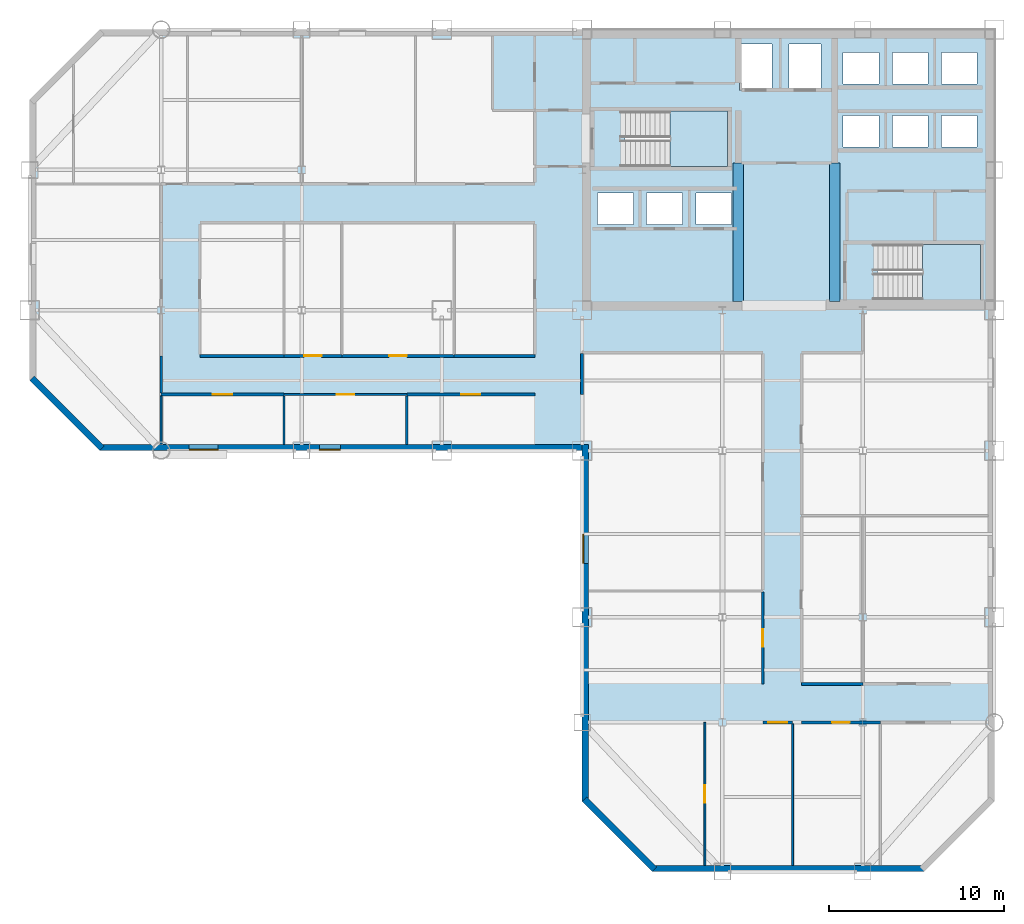
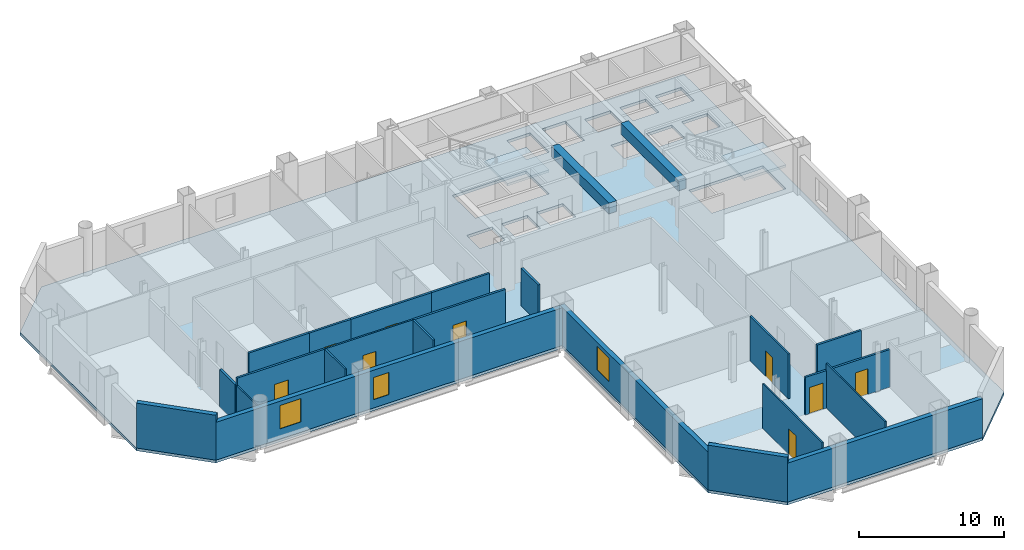
# One storey, part 5 of 10: 23 walls, 9 doors, 3 slabs, 3 windows, 2 beams, 12 openings, 2 elements without a shape of their own.
"""IFC4 building model written with IfcOpenShell, lengths in metres."""

import ifcopenshell
import ifcopenshell.guid

model = None  # the IFC model being written
_history = None  # IfcOwnerHistory: only IFC2X3 demands one
_inside = {}  # id of a spatial element -> (the spatial element, [elements in it])
_under = {}  # id of a project, library or spatial element -> (it, [spatial elements below it])
_declared = {}  # id of a project -> (the project, [libraries it declares])
_typed = {}  # id of a type object -> (the type object, [elements of that type])
_made_of = {}  # id of a material, layer set ... -> (it, [elements and type objects made of it])


def new_model(schema):
    """Start an empty IFC model of exactly this schema.

    Asked for "IFC4X3", IfcOpenShell would pick the latest addendum, in which some entities
    have other attributes; the version numbers below select the first issue.
    IFC2X3 requires an IfcOwnerHistory on every rooted entity: one is made here for all.
    """
    global model, _history
    if schema == "IFC4X3":
        model = ifcopenshell.file(schema_version=(4, 3, 0, 0))
    else:
        model = ifcopenshell.file(schema=schema)
    _inside.clear()
    _under.clear()
    _declared.clear()
    _typed.clear()
    _made_of.clear()
    _history = None
    if model.schema == "IFC2X3":
        org = make("IfcOrganization", Name="unknown")
        user = make(
            "IfcPersonAndOrganization",
            ThePerson=make("IfcPerson", FamilyName="unknown"),
            TheOrganization=org,
        )
        app = make(
            "IfcApplication",
            ApplicationDeveloper=org,
            Version="unknown",
            ApplicationFullName="unknown",
            ApplicationIdentifier="unknown",
        )
        _history = make(
            "IfcOwnerHistory",
            OwningUser=user,
            OwningApplication=app,
            ChangeAction="ADDED",
            CreationDate=0,
        )
    return model


def make(cls, **values):
    """One entity of the class cls with the attributes given. An attribute that is None is left unset."""
    return model.create_entity(
        cls, **{name: value for name, value in values.items() if value is not None}
    )


def rooted(cls, **values):
    """An entity with a GlobalId (a new one), such as an element, a storey or a relation."""
    return make(cls, GlobalId=ifcopenshell.guid.new(), OwnerHistory=_history, **values)


def si_unit(unit_type, name, prefix=None):
    """IfcSIUnit, for example si_unit("LENGTHUNIT", "METRE", prefix="MILLI")."""
    return make("IfcSIUnit", UnitType=unit_type, Prefix=prefix, Name=name)


def assignment(units):
    """IfcUnitAssignment: the units of a project."""
    return None if units is None else make("IfcUnitAssignment", Units=units)


def point(xyz):
    """IfcCartesianPoint."""
    return None if xyz is None else make("IfcCartesianPoint", Coordinates=xyz)


def direction(xyz):
    """IfcDirection."""
    return None if xyz is None else make("IfcDirection", DirectionRatios=xyz)


def frame(location, z_axis=None, x_axis=None):
    """IfcAxis2Placement3D, a coordinate frame: its origin and axes. An axis left out is left unset."""
    return make(
        "IfcAxis2Placement3D",
        Location=point(location),
        Axis=direction(z_axis),
        RefDirection=direction(x_axis),
    )


def frame_2d(location, x_axis=None):
    """IfcAxis2Placement2D, a coordinate frame in the plane: its origin and x axis."""
    return make(
        "IfcAxis2Placement2D", Location=point(location), RefDirection=direction(x_axis)
    )


def origin():
    """The frame at (0, 0, 0) with its axes left unset."""
    return frame((0.0, 0.0, 0.0))


def origin_2d():
    """The frame at (0, 0) in the plane with its x axis left unset."""
    return frame_2d((0.0, 0.0))


def place(relative_to, where):
    """IfcLocalPlacement: puts the frame where relative to a parent placement (None: the world)."""
    return make(
        "IfcLocalPlacement", PlacementRelTo=relative_to, RelativePlacement=where
    )


def context(
    kind, dimensions, precision=None, world=None, true_north=None, identifier=None
):
    """IfcGeometricRepresentationContext, for example the 3D "Model" context."""
    return make(
        "IfcGeometricRepresentationContext",
        ContextIdentifier=identifier,
        ContextType=kind,
        CoordinateSpaceDimension=dimensions,
        Precision=precision,
        WorldCoordinateSystem=world,
        TrueNorth=true_north,
    )


def subcontext(parent, identifier, kind, view, scale=None):
    """IfcGeometricRepresentationSubContext, for example "Body" below "Model"."""
    return make(
        "IfcGeometricRepresentationSubContext",
        ContextIdentifier=identifier,
        ContextType=kind,
        ParentContext=parent,
        TargetScale=scale,
        TargetView=view,
    )


def project(units=None, contexts=None):
    """IfcProject with its units and contexts."""
    return rooted(
        "IfcProject",
        Name="project",
        RepresentationContexts=contexts,
        UnitsInContext=assignment(units),
    )


def spatial(cls, under=None, at=None, **own):
    """A site, building, storey or space (cls), placed at a placement, below another one or the project."""
    s = rooted(cls, ObjectPlacement=at, **own)
    if under is not None:
        _under.setdefault(under.id(), (under, []))[1].append(s)
    return s


def polyline(points):
    """IfcPolyline through the points."""
    return make("IfcPolyline", Points=[point(p) for p in points])


def profile(cls, at=None, kind="AREA", **sizes):
    """A parametric profile (cls). Its sizes go by their IFC names, for example OverallWidth=200.0."""
    return make(cls, ProfileType=kind, Position=at, **sizes)


def rectangle(**sizes):
    """IfcRectangleProfileDef."""
    return profile("IfcRectangleProfileDef", **sizes)


def outline(outer, holes=None, kind="AREA"):
    """IfcArbitraryClosedProfileDef: a profile drawn as a closed curve; with holes, ...WithVoids."""
    if holes is None:
        return make("IfcArbitraryClosedProfileDef", ProfileType=kind, OuterCurve=outer)
    return make(
        "IfcArbitraryProfileDefWithVoids",
        ProfileType=kind,
        OuterCurve=outer,
        InnerCurves=holes,
    )


def extrude(swept, where, along, depth):
    """IfcExtrudedAreaSolid: the profile swept, set in the frame where, extruded along a direction by depth."""
    return make(
        "IfcExtrudedAreaSolid",
        SweptArea=swept,
        Position=where,
        ExtrudedDirection=direction(along),
        Depth=depth,
    )


def shape(context_of_items, identifier, shape_type, items):
    """IfcShapeRepresentation: the items that make up one representation, for example the "Body"."""
    return make(
        "IfcShapeRepresentation",
        ContextOfItems=context_of_items,
        RepresentationIdentifier=identifier,
        RepresentationType=shape_type,
        Items=items,
    )


def material(Name=None, Category=None):
    """IfcMaterial."""
    return make("IfcMaterial", Name=Name, Category=Category)


def layer(
    of_material, thickness, ventilated=None, Name=None, Category=None, Priority=None
):
    """IfcMaterialLayer: one layer of a wall or slab, of a material (None: an air gap)."""
    return make(
        "IfcMaterialLayer",
        Material=of_material,
        LayerThickness=thickness,
        IsVentilated=ventilated,
        Name=Name,
        Category=Category,
        Priority=Priority,
    )


def layer_set(layers, Name=None):
    """IfcMaterialLayerSet."""
    return make("IfcMaterialLayerSet", MaterialLayers=layers, LayerSetName=Name)


def material_profile(
    of_material, cross_section, Name=None, Category=None, Priority=None
):
    """IfcMaterialProfile: a cross section and its material."""
    return make(
        "IfcMaterialProfile",
        Name=Name,
        Material=of_material,
        Profile=cross_section,
        Priority=Priority,
        Category=Category,
    )


def profile_set(profiles, Name=None, composite=None):
    """IfcMaterialProfileSet."""
    return make(
        "IfcMaterialProfileSet",
        Name=Name,
        MaterialProfiles=profiles,
        CompositeProfile=composite,
    )


def made_of(thing, what):
    """Note that an element or type object is made of a material, layer set ...; save() writes the relation."""
    if what is not None:
        _made_of.setdefault(what.id(), (what, []))[1].append(thing)
    return thing


def type_object(cls, material=None, **own):
    """A type object (cls), such as IfcWallType, which elements share."""
    return made_of(rooted(cls, **own), material)


def element(
    cls,
    number,
    at=None,
    inside=None,
    cuts=None,
    type_object=None,
    material=None,
    context=None,
    identifier="Body",
    shape_type=None,
    held_by="IfcProductDefinitionShape",
    body=None,
    shapes=None,
    **own,
):
    """One element of the class cls, such as IfcWall. Its Tag is "e" and its number.

    at: its placement. inside: the storey or other place that contains it. cuts: it is an
    opening in that element (IfcRelVoidsElement). A single representation is given by context,
    identifier, shape_type and body (its items); several are given by shapes. held_by: the class
    of the entity that holds the representations. save() writes the other relations.
    """
    e = rooted(cls, Tag="e%d" % number, ObjectPlacement=at, **own)
    if body is not None:
        shapes = [shape(context, identifier, shape_type, body)]
    if shapes is not None:
        e.Representation = make(held_by, Representations=shapes)
    if inside is not None:
        _inside.setdefault(inside.id(), (inside, []))[1].append(e)
    if cuts is not None:
        rooted(
            "IfcRelVoidsElement", RelatingBuildingElement=cuts, RelatedOpeningElement=e
        )
    if type_object is not None:
        _typed.setdefault(type_object.id(), (type_object, []))[1].append(e)
    return made_of(e, material)


def fill(opening, filler):
    """IfcRelFillsElement: the door or window that sits in an opening."""
    return rooted(
        "IfcRelFillsElement",
        RelatingOpeningElement=opening,
        RelatedBuildingElement=filler,
    )


def aggregate(whole, parts):
    """IfcRelAggregates: a whole, such as a stair, and the parts it consists of."""
    return rooted("IfcRelAggregates", RelatingObject=whole, RelatedObjects=parts)


def save(model, path):
    """Write the relations noted so far, then the file.

    IfcRelAggregates (storeys below a building ...), IfcRelContainedInSpatialStructure (elements
    in a storey), IfcRelDefinesByType, IfcRelAssociatesMaterial and IfcRelDeclares: one each for
    every whole, place, type object, material and project.
    """
    for whole, parts in _under.values():
        aggregate(whole, parts)
    for where, things in _inside.values():
        rooted(
            "IfcRelContainedInSpatialStructure",
            RelatedElements=things,
            RelatingStructure=where,
        )
    for kind, things in _typed.values():
        rooted("IfcRelDefinesByType", RelatedObjects=things, RelatingType=kind)
    for what, things in _made_of.values():
        rooted("IfcRelAssociatesMaterial", RelatedObjects=things, RelatingMaterial=what)
    for by, libraries in _declared.values():
        rooted("IfcRelDeclares", RelatingContext=by, RelatedDefinitions=libraries)
    model.write(path)


model = new_model("IFC4")

# Units and contexts
model_context = context("Model", 3, precision=1e-05, world=origin(), true_north=direction((0.0, 1.0)))
body_context = subcontext(model_context, "Body", "Model", "MODEL_VIEW")
ifc_project = project(units=[si_unit("LENGTHUNIT", "METRE"), si_unit("AREAUNIT", "SQUARE_METRE"), si_unit("VOLUMEUNIT", "CUBIC_METRE"), si_unit("PLANEANGLEUNIT", "RADIAN"), si_unit("MASSUNIT", "GRAM", prefix="KILO")], contexts=[model_context])

# Site, building, storey
site_placement = place(None, origin())
site = spatial("IfcSite", under=ifc_project, at=site_placement, CompositionType="ELEMENT")
building_placement = place(site_placement, origin())
building = spatial("IfcBuilding", under=site, at=building_placement, Name="Qianrong Seaharbour Tower", CompositionType="ELEMENT")
storey_placement = place(building_placement, frame((0.0, 0.0, 179.0)))
storey = spatial("IfcBuildingStorey", under=building, at=storey_placement, Name="L43", CompositionType="ELEMENT", Elevation=179.0)

# Beams
ifc_material_1 = material(Name="Concrete C70/85", Category="concrete")
ifc_material_profile = material_profile(ifc_material_1, rectangle(XDim=0.60009765625, YDim=0.89990234375, at=origin_2d()), Name="RC600x900")
ifc_profile_set = profile_set([ifc_material_profile], Name="Concrete C70/85")
beam_type = type_object("IfcBeamType", Name="BM-LINTEL-900", PredefinedType="LINTEL", material=ifc_profile_set)
for number, where, z_axis, x_axis, name in (
    (1, (49.39990234375, 36.5, 3.31494140625), (0.0, 1.0, 0.0), (-1.0, 0.0, 0.0), "L43 Internal Core Coupling Beam IW1"),
    (2, (54.89990234375, 36.5, 3.31494140625), (0.0, 1.0, 0.0), (-1.0, 0.0, 0.0), "L43 Internal Core Coupling Beam IW2"),
):
    element("IfcBeam", number, at=place(storey_placement, frame(where, z_axis=z_axis, x_axis=x_axis)), inside=storey, type_object=beam_type, Name=name, PredefinedType="LINTEL", context=body_context, shape_type="SweptSolid", body=[
        extrude(rectangle(XDim=0.60009765625, YDim=0.89990234375, at=origin_2d()), origin(), (0.0, 0.0, 1.0), 7.89990234375),
    ])

# Stair, slab
ifc_material_2 = material(Name="Concrete C50/60", Category="concrete")
stair_type = type_object("IfcStairType", Name="STAIR-DOGLEG-1500-R22", PredefinedType="HALF_TURN_STAIR", material=ifc_material_2)
stair_1_placement = place(storey_placement, origin())
stair_1 = element("IfcStair", 3, at=stair_1_placement, inside=storey, type_object=stair_type, Name="L43 Protected Escape Stair ST-1", PredefinedType="HALF_TURN_STAIR")
ifc_layer_1 = layer(ifc_material_2, 0.199951171875)
ifc_layer_set_1 = layer_set([ifc_layer_1], Name="Concrete C50/60")
slab_type_1 = type_object("IfcSlabType", Name="SLAB-STAIR-LANDING-200", PredefinedType="LANDING", material=ifc_layer_set_1)
slab_1_placement = place(storey_placement, frame((0.0, 0.0, 1.800048828125)))
slab_1 = element("IfcSlab", 4, at=slab_1_placement, type_object=slab_type_1, Name="ST-1 landing 1", PredefinedType="LANDING", context=body_context, shape_type="SweptSolid", body=[
    extrude(outline(polyline([(45.5, 44.199951171875), (48.800048828125, 44.199951171875), (48.800048828125, 47.35009765625), (45.5, 47.35009765625), (45.5, 44.199951171875)])), origin(), (0.0, 0.0, 1.0), 0.199951171875),
])
aggregate(stair_1, [slab_1])

stair_2_placement = place(storey_placement, origin())
stair_2 = element("IfcStair", 5, at=stair_2_placement, inside=storey, type_object=stair_type, Name="L43 Protected Escape Stair ST-2", PredefinedType="HALF_TURN_STAIR")
slab_2_placement = place(storey_placement, frame((0.0, 0.0, 1.800048828125)))
slab_2 = element("IfcSlab", 6, at=slab_2_placement, type_object=slab_type_1, Name="ST-2 landing 1", PredefinedType="LANDING", context=body_context, shape_type="SweptSolid", body=[
    extrude(outline(polyline([(59.89990234375, 36.60009765625), (63.199951171875, 36.60009765625), (63.199951171875, 39.75), (59.89990234375, 39.75), (59.89990234375, 36.60009765625)])), origin(), (0.0, 0.0, 1.0), 0.199951171875),
])
aggregate(stair_2, [slab_2])

# Slab
ifc_layer_2 = layer(ifc_material_2, 0.235107421875)
ifc_layer_set_2 = layer_set([ifc_layer_2], Name="Concrete C50/60")
slab_type_2 = type_object("IfcSlabType", Name="SLAB-Z2-235", PredefinedType="FLOOR", material=ifc_layer_set_2)
slab_3_placement = place(storey_placement, frame((0.0, 0.0, -0.235107421875)))
element("IfcSlab", 7, at=slab_3_placement, inside=storey, type_object=slab_type_2, Name="L43 Structural Floor Slab", PredefinedType="FLOOR", context=body_context, shape_type="SweptSolid", body=[
    extrude(outline(polyline([(44.5, 4.0), (60.0, 4.0), (64.0, 8.0), (64.0, 52.0), (13.0, 52.0), (9.0, 48.0), (9.0, 32.0), (13.0, 28.0), (40.5, 28.0), (40.5, 8.0), (44.5, 4.0)]), holes=[polyline([(42.93994140625, 44.199951171875), (42.93994140625, 47.35009765625), (48.800048828125, 47.35009765625), (48.800048828125, 44.199951171875), (42.93994140625, 44.199951171875)]), polyline([(57.340087890625, 36.60009765625), (57.340087890625, 39.75), (63.199951171875, 39.75), (63.199951171875, 36.60009765625), (57.340087890625, 36.60009765625)]), polyline([(49.47998046875, 48.530029296875), (49.47998046875, 51.169921875), (51.320068359375, 51.169921875), (51.320068359375, 48.530029296875), (49.47998046875, 48.530029296875)]), polyline([(52.280029296875, 48.530029296875), (52.280029296875, 51.169921875), (54.1201171875, 51.169921875), (54.1201171875, 48.530029296875), (52.280029296875, 48.530029296875)]), polyline([(41.3798828125, 40.89990234375), (41.3798828125, 42.699951171875), (43.419921875, 42.699951171875), (43.419921875, 40.89990234375), (41.3798828125, 40.89990234375)]), polyline([(44.179931640625, 40.89990234375), (44.179931640625, 42.699951171875), (46.219970703125, 42.699951171875), (46.219970703125, 40.89990234375), (44.179931640625, 40.89990234375)]), polyline([(46.97998046875, 40.89990234375), (46.97998046875, 42.699951171875), (49.02001953125, 42.699951171875), (49.02001953125, 40.89990234375), (46.97998046875, 40.89990234375)]), polyline([(55.3798828125, 45.300048828125), (55.3798828125, 47.10009765625), (57.419921875, 47.10009765625), (57.419921875, 45.300048828125), (55.3798828125, 45.300048828125)]), polyline([(58.179931640625, 45.300048828125), (58.179931640625, 47.10009765625), (60.219970703125, 47.10009765625), (60.219970703125, 45.300048828125), (58.179931640625, 45.300048828125)]), polyline([(60.97998046875, 45.300048828125), (60.97998046875, 47.10009765625), (63.02001953125, 47.10009765625), (63.02001953125, 45.300048828125), (60.97998046875, 45.300048828125)]), polyline([(55.3798828125, 48.89990234375), (55.3798828125, 50.699951171875), (57.419921875, 50.699951171875), (57.419921875, 48.89990234375), (55.3798828125, 48.89990234375)]), polyline([(58.179931640625, 48.89990234375), (58.179931640625, 50.699951171875), (60.219970703125, 50.699951171875), (60.219970703125, 48.89990234375), (58.179931640625, 48.89990234375)]), polyline([(60.97998046875, 48.89990234375), (60.97998046875, 50.699951171875), (63.02001953125, 50.699951171875), (63.02001953125, 48.89990234375), (60.97998046875, 48.89990234375)])]), origin(), (0.0, 0.0, 1.0), 0.235107421875),
])

# Wall
ifc_material_3 = material(Name="Fire-rated acoustic gypsum board partition")
ifc_layer_3 = layer(ifc_material_3, 0.1650390625)
ifc_layer_set_3 = layer_set([ifc_layer_3], Name="Fire-rated acoustic gypsum board partition")
wall_type_1 = type_object("IfcWallType", Name="WALL-CORR-PART-165", PredefinedType="PARTITIONING", material=ifc_layer_set_3)
wall_1_placement = place(storey_placement, frame((18.699951171875, 33.39990234375, 0.0), z_axis=(0.0, 0.0, 1.0), x_axis=(1.0, 0.0, 0.0)))
element("IfcWall", 8, at=wall_1_placement, inside=storey, type_object=wall_type_1, Name="L43 Interior Partition Wall 015", PredefinedType="PARTITIONING", context=body_context, shape_type="SweptSolid", body=[
    extrude(rectangle(XDim=4.800048828125, YDim=0.1650390625, at=frame_2d((2.39990234375, 0.0))), origin(), (0.0, 0.0, 1.0), 3.764892578125),
])

# Wall, opening, door
wall_2_placement = place(storey_placement, frame((23.5, 33.39990234375, 0.0), z_axis=(0.0, 0.0, 1.0), x_axis=(1.0, 0.0, 0.0)))
wall_2 = element("IfcWall", 9, at=wall_2_placement, inside=storey, type_object=wall_type_1, Name="L43 Interior Partition Wall 016", PredefinedType="PARTITIONING", context=body_context, shape_type="SweptSolid", body=[
    extrude(rectangle(XDim=3.300048828125, YDim=0.1650390625, at=frame_2d((1.64990234375, 0.0))), origin(), (0.0, 0.0, 1.0), 3.764892578125),
])
opening_1_placement = place(wall_2_placement, frame((1.14990234375, 0.0, 0.0)))
opening_1 = element("IfcOpeningElement", 10, at=opening_1_placement, cuts=wall_2, Name="Opening DO-01", PredefinedType="OPENING", context=body_context, shape_type="SweptSolid", body=[
    extrude(rectangle(XDim=1.0, YDim=2.14990234375, at=frame_2d((0.5, 1.074951171875))), frame((0.0, 0.092529296875, 0.0), z_axis=(0.0, -1.0, 0.0), x_axis=(1.0, 0.0, 0.0)), (0.0, 0.0, 1.0), 0.18505859375),
])
ifc_material_4 = material(Name="Acoustic timber and galvanized steel fire door assembly", Category="steel")
door_type_1 = type_object("IfcDoorType", Name="DOOR-OFFICE-1000x2150", OperationType="NOTDEFINED", PredefinedType="DOOR", material=ifc_material_4)
door_1_placement = place(opening_1_placement, origin())
door_1 = element("IfcDoor", 11, at=door_1_placement, inside=storey, type_object=door_type_1, Name="L43 Maritime Artifact Showroom 2 Door", OperationType="SINGLE_SWING_RIGHT", OverallHeight=2.14990234375, OverallWidth=1.0, PredefinedType="DOOR", context=body_context, shape_type="SweptSolid", body=[
    extrude(rectangle(XDim=1.0, YDim=2.14990234375, at=frame_2d((0.5, 1.074951171875))), frame((0.0, 0.02490234375, 0.0), z_axis=(0.0, -1.0, 0.0), x_axis=(1.0, 0.0, 0.0)), (0.0, 0.0, 1.0), 0.050048828125),
])
fill(opening_1, door_1)

wall_3_placement = place(storey_placement, frame((26.800048828125, 33.39990234375, 0.0), z_axis=(0.0, 0.0, 1.0), x_axis=(1.0, 0.0, 0.0)))
wall_3 = element("IfcWall", 12, at=wall_3_placement, inside=storey, type_object=wall_type_1, Name="L43 Interior Partition Wall 017", PredefinedType="PARTITIONING", context=body_context, shape_type="SweptSolid", body=[
    extrude(rectangle(XDim=6.39990234375, YDim=0.1650390625, at=frame_2d((3.199951171875, 0.0))), origin(), (0.0, 0.0, 1.0), 3.764892578125),
])
opening_2_placement = place(wall_3_placement, frame((2.699951171875, 0.0, 0.0)))
opening_2 = element("IfcOpeningElement", 13, at=opening_2_placement, cuts=wall_3, Name="Opening DO-01", PredefinedType="OPENING", context=body_context, shape_type="SweptSolid", body=[
    extrude(rectangle(XDim=1.0, YDim=2.14990234375, at=frame_2d((0.5, 1.074951171875))), frame((0.0, 0.092529296875, 0.0), z_axis=(0.0, -1.0, 0.0), x_axis=(1.0, 0.0, 0.0)), (0.0, 0.0, 1.0), 0.18505859375),
])
door_2_placement = place(opening_2_placement, origin())
door_2 = element("IfcDoor", 14, at=door_2_placement, inside=storey, type_object=door_type_1, Name="L43 Maritime Artifact Showroom 3 Door", OperationType="SINGLE_SWING_LEFT", OverallHeight=2.14990234375, OverallWidth=1.0, PredefinedType="DOOR", context=body_context, shape_type="SweptSolid", body=[
    extrude(rectangle(XDim=1.0, YDim=2.14990234375, at=frame_2d((0.5, 1.074951171875))), frame((0.0, 0.02490234375, 0.0), z_axis=(0.0, -1.0, 0.0), x_axis=(1.0, 0.0, 0.0)), (0.0, 0.0, 1.0), 0.050048828125),
])
fill(opening_2, door_2)

# Walls
wall_4_placement = place(storey_placement, frame((33.199951171875, 33.39990234375, 0.0), z_axis=(0.0, 0.0, 1.0), x_axis=(1.0, 0.0, 0.0)))
element("IfcWall", 15, at=wall_4_placement, inside=storey, type_object=wall_type_1, Name="L43 Interior Partition Wall 018", PredefinedType="PARTITIONING", context=body_context, shape_type="SweptSolid", body=[
    extrude(rectangle(XDim=4.60009765625, YDim=0.1650390625, at=frame_2d((2.300048828125, 0.0))), origin(), (0.0, 0.0, 1.0), 3.764892578125),
])
wall_5_placement = place(storey_placement, frame((16.5, 31.2744140625, 0.0), z_axis=(0.0, 0.0, 1.0), x_axis=(0.0, 1.0, 0.0)))
element("IfcWall", 16, at=wall_5_placement, inside=storey, type_object=wall_type_1, Name="L43 Interior Partition Wall 019", PredefinedType="PARTITIONING", context=body_context, shape_type="SweptSolid", body=[
    extrude(rectangle(XDim=2.12548828125, YDim=0.1650390625, at=frame_2d((1.062744140625, 0.0))), origin(), (0.0, 0.0, 1.0), 3.156982421875),
])

# Wall, opening, door
wall_6_placement = place(storey_placement, frame((23.5, 31.199951171875, 0.0), z_axis=(0.0, 0.0, 1.0), x_axis=(-1.0, 0.0, 0.0)))
wall_6 = element("IfcWall", 17, at=wall_6_placement, inside=storey, type_object=wall_type_1, Name="L43 Interior Partition Wall 020", PredefinedType="PARTITIONING", context=body_context, shape_type="SweptSolid", body=[
    extrude(rectangle(XDim=7.0, YDim=0.1650390625, at=frame_2d((3.5, 0.0))), origin(), (0.0, 0.0, 1.0), 3.764892578125),
])
opening_3_placement = place(wall_6_placement, frame((2.949951171875, 0.0, 0.0)))
opening_3 = element("IfcOpeningElement", 18, at=opening_3_placement, cuts=wall_6, Name="Opening DM-01", PredefinedType="OPENING", context=body_context, shape_type="SweptSolid", body=[
    extrude(rectangle(XDim=1.10009765625, YDim=2.199951171875, at=frame_2d((0.550048828125, 1.10009765625))), frame((0.0, 0.092529296875, 0.0), z_axis=(0.0, -1.0, 0.0), x_axis=(1.0, 0.0, 0.0)), (0.0, 0.0, 1.0), 0.18505859375),
])
door_type_2 = type_object("IfcDoorType", Name="DOOR-MEET-1100x2200", OperationType="NOTDEFINED", PredefinedType="DOOR", material=ifc_material_4)
door_3_placement = place(opening_3_placement, origin())
door_3 = element("IfcDoor", 19, at=door_3_placement, inside=storey, type_object=door_type_2, Name="L43 Negotiation Meeting Room 1 Door", OperationType="SINGLE_SWING_RIGHT", OverallHeight=2.199951171875, OverallWidth=1.10009765625, PredefinedType="DOOR", context=body_context, shape_type="SweptSolid", body=[
    extrude(rectangle(XDim=1.10009765625, YDim=2.199951171875, at=frame_2d((0.550048828125, 1.10009765625))), frame((0.0, 0.02490234375, 0.0), z_axis=(0.0, -1.0, 0.0), x_axis=(1.0, 0.0, 0.0)), (0.0, 0.0, 1.0), 0.050048828125),
])
fill(opening_3, door_3)

wall_7_placement = place(storey_placement, frame((37.800048828125, 31.199951171875, 0.0), z_axis=(0.0, 0.0, 1.0), x_axis=(-1.0, 0.0, 0.0)))
wall_7 = element("IfcWall", 20, at=wall_7_placement, inside=storey, type_object=wall_type_1, Name="L43 Interior Partition Wall 022", PredefinedType="PARTITIONING", context=body_context, shape_type="SweptSolid", body=[
    extrude(rectangle(XDim=7.300048828125, YDim=0.1650390625, at=frame_2d((3.64990234375, 0.0))), origin(), (0.0, 0.0, 1.0), 3.764892578125),
])
opening_4_placement = place(wall_7_placement, frame((3.10009765625, 0.0, 0.0)))
opening_4 = element("IfcOpeningElement", 21, at=opening_4_placement, cuts=wall_7, Name="Opening DM-01", PredefinedType="OPENING", context=body_context, shape_type="SweptSolid", body=[
    extrude(rectangle(XDim=1.10009765625, YDim=2.199951171875, at=frame_2d((0.550048828125, 1.10009765625))), frame((0.0, 0.092529296875, 0.0), z_axis=(0.0, -1.0, 0.0), x_axis=(1.0, 0.0, 0.0)), (0.0, 0.0, 1.0), 0.18505859375),
])
door_4_placement = place(opening_4_placement, origin())
door_4 = element("IfcDoor", 22, at=door_4_placement, inside=storey, type_object=door_type_2, Name="L43 Negotiation Meeting Room 3 Door", OperationType="SINGLE_SWING_RIGHT", OverallHeight=2.199951171875, OverallWidth=1.10009765625, PredefinedType="DOOR", context=body_context, shape_type="SweptSolid", body=[
    extrude(rectangle(XDim=1.10009765625, YDim=2.199951171875, at=frame_2d((0.550048828125, 1.10009765625))), frame((0.0, 0.02490234375, 0.0), z_axis=(0.0, -1.0, 0.0), x_axis=(1.0, 0.0, 0.0)), (0.0, 0.0, 1.0), 0.050048828125),
])
fill(opening_4, door_4)

# Wall
wall_8_placement = place(storey_placement, frame((40.5, 33.525390625, 0.0), z_axis=(0.0, 0.0, 1.0), x_axis=(0.0, -1.0, 0.0)))
element("IfcWall", 23, at=wall_8_placement, inside=storey, type_object=wall_type_1, Name="L43 Interior Partition Wall 036", PredefinedType="PARTITIONING", context=body_context, shape_type="SweptSolid", body=[
    extrude(rectangle(XDim=2.325439453125, YDim=0.1650390625, at=frame_2d((1.16259765625, 0.0))), origin(), (0.0, 0.0, 1.0), 3.156982421875),
])

# Wall, opening, door
wall_9_placement = place(storey_placement, frame((52.5, 12.5, 0.0), z_axis=(0.0, 0.0, 1.0), x_axis=(-1.0, 0.0, 0.0)))
wall_9 = element("IfcWall", 24, at=wall_9_placement, inside=storey, type_object=wall_type_1, Name="L43 Interior Partition Wall 044", PredefinedType="PARTITIONING", context=body_context, shape_type="SweptSolid", body=[
    extrude(rectangle(XDim=1.699951171875, YDim=0.1650390625, at=frame_2d((0.85009765625, 0.0))), origin(), (0.0, 0.0, 1.0), 3.156982421875),
])
opening_5_placement = place(wall_9_placement, frame((0.300048828125, 0.0, 0.0)))
opening_5 = element("IfcOpeningElement", 25, at=opening_5_placement, cuts=wall_9, Name="Opening DM-01", PredefinedType="OPENING", context=body_context, shape_type="SweptSolid", body=[
    extrude(rectangle(XDim=1.10009765625, YDim=2.199951171875, at=frame_2d((0.550048828125, 1.10009765625))), frame((0.0, 0.092529296875, 0.0), z_axis=(0.0, -1.0, 0.0), x_axis=(1.0, 0.0, 0.0)), (0.0, 0.0, 1.0), 0.18505859375),
])
door_5_placement = place(opening_5_placement, origin())
door_5 = element("IfcDoor", 26, at=door_5_placement, inside=storey, type_object=door_type_2, Name="L43 Contract Signing Room 2 Door", OperationType="SINGLE_SWING_RIGHT", OverallHeight=2.199951171875, OverallWidth=1.10009765625, PredefinedType="DOOR", context=body_context, shape_type="SweptSolid", body=[
    extrude(rectangle(XDim=1.10009765625, YDim=2.199951171875, at=frame_2d((0.550048828125, 1.10009765625))), frame((0.0, 0.02490234375, 0.0), z_axis=(0.0, -1.0, 0.0), x_axis=(1.0, 0.0, 0.0)), (0.0, 0.0, 1.0), 0.050048828125),
])
fill(opening_5, door_5)

# Wall
wall_10_placement = place(storey_placement, frame((53.0, 14.699951171875, 0.0), z_axis=(0.0, 0.0, 1.0), x_axis=(1.0, 0.0, 0.0)))
element("IfcWall", 27, at=wall_10_placement, inside=storey, type_object=wall_type_1, Name="L43 Interior Partition Wall 045", PredefinedType="PARTITIONING", context=body_context, shape_type="SweptSolid", body=[
    extrude(rectangle(XDim=3.5, YDim=0.1650390625, at=frame_2d((1.75, 0.0))), origin(), (0.0, 0.0, 1.0), 3.764892578125),
])

# Wall, opening, door
wall_11_placement = place(storey_placement, frame((57.5, 12.5, 0.0), z_axis=(0.0, 0.0, 1.0), x_axis=(-1.0, 0.0, 0.0)))
wall_11 = element("IfcWall", 28, at=wall_11_placement, inside=storey, type_object=wall_type_1, Name="L43 Interior Partition Wall 047", PredefinedType="PARTITIONING", context=body_context, shape_type="SweptSolid", body=[
    extrude(rectangle(XDim=4.5, YDim=0.1650390625, at=frame_2d((2.25, 0.0))), origin(), (0.0, 0.0, 1.0), 3.156982421875),
])
opening_6_placement = place(wall_11_placement, frame((1.75, 0.0, 0.0)))
opening_6 = element("IfcOpeningElement", 29, at=opening_6_placement, cuts=wall_11, Name="Opening DO-01", PredefinedType="OPENING", context=body_context, shape_type="SweptSolid", body=[
    extrude(rectangle(XDim=1.0, YDim=2.14990234375, at=frame_2d((0.5, 1.074951171875))), frame((0.0, 0.092529296875, 0.0), z_axis=(0.0, -1.0, 0.0), x_axis=(1.0, 0.0, 0.0)), (0.0, 0.0, 1.0), 0.18505859375),
])
door_6_placement = place(opening_6_placement, origin())
door_6 = element("IfcDoor", 30, at=door_6_placement, inside=storey, type_object=door_type_1, Name="L43 Marine Showcase Showroom 3 Door", OperationType="SINGLE_SWING_LEFT", OverallHeight=2.14990234375, OverallWidth=1.0, PredefinedType="DOOR", context=body_context, shape_type="SweptSolid", body=[
    extrude(rectangle(XDim=1.0, YDim=2.14990234375, at=frame_2d((0.5, 1.074951171875))), frame((0.0, 0.02490234375, 0.0), z_axis=(0.0, -1.0, 0.0), x_axis=(1.0, 0.0, 0.0)), (0.0, 0.0, 1.0), 0.050048828125),
])
fill(opening_6, door_6)

# Wall
ifc_material_5 = material(Name="Demountable aluminium-framed acoustic office partition", Category="aluminium")
ifc_layer_4 = layer(ifc_material_5, 0.110107421875)
ifc_layer_set_4 = layer_set([ifc_layer_4], Name="Demountable aluminium-framed acoustic office partition")
wall_type_2 = type_object("IfcWallType", Name="WALL-DEMOUNT-110", PredefinedType="MOVABLE", material=ifc_layer_set_4)
wall_12_placement = place(storey_placement, frame((16.5, 31.12548828125, 0.0), z_axis=(0.0, 0.0, 1.0), x_axis=(0.0, -1.0, 0.0)))
element("IfcWall", 31, at=wall_12_placement, inside=storey, type_object=wall_type_2, Name="L43 Interior Partition Wall 061", PredefinedType="MOVABLE", context=body_context, shape_type="SweptSolid", body=[
    extrude(rectangle(XDim=2.7734375, YDim=0.110107421875, at=frame_2d((1.38671875, 0.0))), origin(), (0.0, 0.0, 1.0), 3.156982421875),
])

# Wall, opening, door
wall_13_placement = place(storey_placement, frame((47.5, 12.5, 0.0), z_axis=(0.0, 0.0, 1.0), x_axis=(0.0, -1.0, 0.0)))
wall_13 = element("IfcWall", 32, at=wall_13_placement, inside=storey, type_object=wall_type_2, Name="L43 Interior Partition Wall 065", PredefinedType="MOVABLE", context=body_context, shape_type="SweptSolid", body=[
    extrude(rectangle(XDim=8.14794921875, YDim=0.110107421875, at=frame_2d((4.073974609375, 0.0))), origin(), (0.0, 0.0, 1.0), 3.764892578125),
])
opening_7_placement = place(wall_13_placement, frame((3.573974609375, 0.0, 0.0)))
opening_7 = element("IfcOpeningElement", 33, at=opening_7_placement, cuts=wall_13, Name="Opening DO-01", PredefinedType="OPENING", context=body_context, shape_type="SweptSolid", body=[
    extrude(rectangle(XDim=1.0, YDim=2.14990234375, at=frame_2d((0.5, 1.074951171875))), frame((0.0, 0.06494140625, 0.0), z_axis=(0.0, -1.0, 0.0), x_axis=(1.0, 0.0, 0.0)), (0.0, 0.0, 1.0), 0.130126953125),
])
door_7_placement = place(opening_7_placement, origin())
door_7 = element("IfcDoor", 34, at=door_7_placement, inside=storey, type_object=door_type_1, Name="L43 Harbour Trade Lounge 1 Door", OperationType="SINGLE_SWING_LEFT", OverallHeight=2.14990234375, OverallWidth=1.0, PredefinedType="DOOR", context=body_context, shape_type="SweptSolid", body=[
    extrude(rectangle(XDim=1.0, YDim=2.14990234375, at=frame_2d((0.5, 1.074951171875))), frame((0.0, 0.02490234375, 0.0), z_axis=(0.0, -1.0, 0.0), x_axis=(1.0, 0.0, 0.0)), (0.0, 0.0, 1.0), 0.050048828125),
])
fill(opening_7, door_7)

# Wall
wall_14_placement = place(storey_placement, frame((52.5, 12.425537109375, 0.0), z_axis=(0.0, 0.0, 1.0), x_axis=(0.0, -1.0, 0.0)))
element("IfcWall", 35, at=wall_14_placement, inside=storey, type_object=wall_type_2, Name="L43 Interior Partition Wall 066", PredefinedType="MOVABLE", context=body_context, shape_type="SweptSolid", body=[
    extrude(rectangle(XDim=8.073486328125, YDim=0.110107421875, at=frame_2d((4.03662109375, 0.0))), origin(), (0.0, 0.0, 1.0), 3.764892578125),
])

# Wall, opening, window
ifc_material_6 = material(Name="Unitised red brick on Precast concrete C45/55", Category="masonry")
ifc_layer_5 = layer(ifc_material_6, 0.360107421875)
ifc_layer_set_5 = layer_set([ifc_layer_5], Name="Unitised red brick on Precast concrete C45/55")
wall_type_3 = type_object("IfcWallType", Name="WALL-EXT-BRICK-RED-360", PredefinedType="SOLIDWALL", material=ifc_layer_set_5)
wall_15_placement = place(storey_placement, frame((40.679931640625, 8.0, 0.0), z_axis=(0.0, 0.0, 1.0), x_axis=(0.0, 1.0, 0.0)))
wall_15 = element("IfcWall", 36, at=wall_15_placement, inside=storey, type_object=wall_type_3, Name="L43 Exterior Masonry Facade Wall REENTRANT_WEST", PredefinedType="SOLIDWALL", context=body_context, shape_type="SweptSolid", body=[
    extrude(rectangle(XDim=20.360107421875, YDim=0.360107421875, at=frame_2d((10.18017578125, 0.0))), origin(), (0.0, 0.0, 1.0), 3.1650390625),
])
opening_8_placement = place(wall_15_placement, frame((13.574951171875, 0.0, 0.85009765625)))
opening_8 = element("IfcOpeningElement", 37, at=opening_8_placement, cuts=wall_15, Name="Opening WN-04", PredefinedType="OPENING", context=body_context, shape_type="SweptSolid", body=[
    extrude(rectangle(XDim=1.64990234375, YDim=1.949951171875, at=frame_2d((0.824951171875, 0.97509765625))), frame((0.0, 0.18994140625, 0.0), z_axis=(0.0, -1.0, 0.0), x_axis=(1.0, 0.0, 0.0)), (0.0, 0.0, 1.0), 0.380126953125),
])
ifc_material_7 = material(Name="Insulated low-e double glazing in thermally broken aluminium 6063-T6 frame", Category="aluminium")
window_type_1 = type_object("IfcWindowType", Name="WIN-PUNCH-1650x1950", PartitioningType="DOUBLE_PANEL_VERTICAL", PredefinedType="WINDOW", material=ifc_material_7)
window_1_placement = place(opening_8_placement, origin())
window_1 = element("IfcWindow", 38, at=window_1_placement, inside=storey, type_object=window_type_1, Name="L43 Deep-Set Punched Window 00.04", OverallHeight=1.949951171875, OverallWidth=1.64990234375, PartitioningType="DOUBLE_PANEL_VERTICAL", PredefinedType="WINDOW", context=body_context, shape_type="SweptSolid", body=[
    extrude(rectangle(XDim=1.64990234375, YDim=1.949951171875, at=frame_2d((0.824951171875, 0.97509765625))), frame((0.0, 0.150146484375, 0.0), z_axis=(0.0, -1.0, 0.0), x_axis=(1.0, 0.0, 0.0)), (0.0, 0.0, 1.0), 0.06005859375),
])
fill(opening_8, window_1)

# Wall, openings, windows
wall_16_placement = place(storey_placement, frame((40.52001953125, 28.179931640625, 0.0), z_axis=(0.0, 0.0, 1.0), x_axis=(-1.0, 0.0, 0.0)))
wall_16 = element("IfcWall", 39, at=wall_16_placement, inside=storey, type_object=wall_type_3, Name="L43 Exterior Masonry Facade Wall HARBOUR_RIBBON", PredefinedType="SOLIDWALL", context=body_context, shape_type="SweptSolid", body=[
    extrude(rectangle(XDim=27.52001953125, YDim=0.360107421875, at=frame_2d((13.760009765625, 0.0))), origin(), (0.0, 0.0, 1.0), 3.1650390625),
])
opening_9_placement = place(wall_16_placement, frame((13.800048828125, 0.0, 0.699951171875)))
opening_9 = element("IfcOpeningElement", 40, at=opening_9_placement, cuts=wall_16, Name="Opening WN-01", PredefinedType="OPENING", context=body_context, shape_type="SweptSolid", body=[
    extrude(rectangle(XDim=1.199951171875, YDim=1.85009765625, at=frame_2d((0.60009765625, 0.925048828125))), frame((0.0, 0.18994140625, 0.0), z_axis=(0.0, -1.0, 0.0), x_axis=(1.0, 0.0, 0.0)), (0.0, 0.0, 1.0), 0.380126953125),
])
opening_10_placement = place(wall_16_placement, frame((20.77490234375, 0.0, 0.85009765625)))
opening_10 = element("IfcOpeningElement", 41, at=opening_10_placement, cuts=wall_16, Name="Opening WN-04", PredefinedType="OPENING", context=body_context, shape_type="SweptSolid", body=[
    extrude(rectangle(XDim=1.64990234375, YDim=1.949951171875, at=frame_2d((0.824951171875, 0.97509765625))), frame((0.0, 0.18994140625, 0.0), z_axis=(0.0, -1.0, 0.0), x_axis=(1.0, 0.0, 0.0)), (0.0, 0.0, 1.0), 0.380126953125),
])
window_type_2 = type_object("IfcWindowType", Name="WIN-PUNCH-1200x1850", PartitioningType="DOUBLE_PANEL_VERTICAL", PredefinedType="WINDOW", material=ifc_material_7)
window_2_placement = place(opening_9_placement, origin())
window_2 = element("IfcWindow", 42, at=window_2_placement, inside=storey, type_object=window_type_2, Name="L43 Deep-Set Punched Window 01.04", OverallHeight=1.85009765625, OverallWidth=1.199951171875, PartitioningType="DOUBLE_PANEL_VERTICAL", PredefinedType="WINDOW", context=body_context, shape_type="SweptSolid", body=[
    extrude(rectangle(XDim=1.199951171875, YDim=1.85009765625, at=frame_2d((0.60009765625, 0.925048828125))), frame((0.0, 0.150146484375, 0.0), z_axis=(0.0, -1.0, 0.0), x_axis=(1.0, 0.0, 0.0)), (0.0, 0.0, 1.0), 0.06005859375),
])
fill(opening_9, window_2)
window_3_placement = place(opening_10_placement, origin())
window_3 = element("IfcWindow", 43, at=window_3_placement, inside=storey, type_object=window_type_1, Name="L43 Deep-Set Punched Window 01.06", OverallHeight=1.949951171875, OverallWidth=1.64990234375, PartitioningType="DOUBLE_PANEL_VERTICAL", PredefinedType="WINDOW", context=body_context, shape_type="SweptSolid", body=[
    extrude(rectangle(XDim=1.64990234375, YDim=1.949951171875, at=frame_2d((0.824951171875, 0.97509765625))), frame((0.0, 0.150146484375, 0.0), z_axis=(0.0, -1.0, 0.0), x_axis=(1.0, 0.0, 0.0)), (0.0, 0.0, 1.0), 0.06005859375),
])
fill(opening_10, window_3)

# Walls
wall_17_placement = place(storey_placement, frame((13.127197265625, 28.127197265625, 0.0), z_axis=(0.0, 0.0, 1.0), x_axis=(-0.707106781187, 0.707106781187, 0.0)))
element("IfcWall", 44, at=wall_17_placement, inside=storey, type_object=wall_type_3, Name="L43 Exterior Masonry Facade Wall E02", PredefinedType="SOLIDWALL", context=body_context, shape_type="SweptSolid", body=[
    extrude(rectangle(XDim=5.65673828125, YDim=0.360107421875, at=frame_2d((2.828369140625, 0.0))), origin(), (0.0, 0.0, 1.0), 3.764892578125),
])
wall_18_placement = place(storey_placement, frame((60.0, 4.179931640625, 0.0), z_axis=(0.0, 0.0, 1.0), x_axis=(-1.0, 0.0, 0.0)))
element("IfcWall", 45, at=wall_18_placement, inside=storey, type_object=wall_type_3, Name="L43 Exterior Masonry Facade Wall SOUTH_TIP", PredefinedType="SOLIDWALL", context=body_context, shape_type="SweptSolid", body=[
    extrude(rectangle(XDim=15.5, YDim=0.360107421875, at=frame_2d((7.75, 0.0))), origin(), (0.0, 0.0, 1.0), 3.264892578125),
])
wall_19_placement = place(storey_placement, frame((44.627197265625, 4.127197265625, 0.0), z_axis=(0.0, 0.0, 1.0), x_axis=(-0.707106781187, 0.707106781187, 0.0)))
element("IfcWall", 46, at=wall_19_placement, inside=storey, type_object=wall_type_3, Name="L43 Exterior Masonry Facade Wall E09", PredefinedType="SOLIDWALL", context=body_context, shape_type="SweptSolid", body=[
    extrude(rectangle(XDim=5.65673828125, YDim=0.360107421875, at=frame_2d((2.828369140625, 0.0))), origin(), (0.0, 0.0, 1.0), 3.764892578125),
])

# Wall, opening, door
ifc_material_8 = material(Name="Water-resistant cement board sanitary partition")
ifc_layer_6 = layer(ifc_material_8, 0.1298828125)
ifc_layer_set_6 = layer_set([ifc_layer_6], Name="Water-resistant cement board sanitary partition")
wall_type_4 = type_object("IfcWallType", Name="WALL-WET-PART-130", PredefinedType="PARTITIONING", material=ifc_layer_set_6)
wall_20_placement = place(storey_placement, frame((30.5, 31.199951171875, 0.0), z_axis=(0.0, 0.0, 1.0), x_axis=(-1.0, 0.0, 0.0)))
wall_20 = element("IfcWall", 47, at=wall_20_placement, inside=storey, type_object=wall_type_4, Name="L43 Interior Partition Wall 021", PredefinedType="PARTITIONING", context=body_context, shape_type="SweptSolid", body=[
    extrude(rectangle(XDim=7.0, YDim=0.1298828125, at=frame_2d((3.5, 0.0))), origin(), (0.0, 0.0, 1.0), 3.764892578125),
])
opening_11_placement = place(wall_20_placement, frame((3.0, 0.0, 0.0)))
opening_11 = element("IfcOpeningElement", 48, at=opening_11_placement, cuts=wall_20, Name="Opening DO-01", PredefinedType="OPENING", context=body_context, shape_type="SweptSolid", body=[
    extrude(rectangle(XDim=1.0, YDim=2.14990234375, at=frame_2d((0.5, 1.074951171875))), frame((0.0, 0.074951171875, 0.0), z_axis=(0.0, -1.0, 0.0), x_axis=(1.0, 0.0, 0.0)), (0.0, 0.0, 1.0), 0.14990234375),
])
door_8_placement = place(opening_11_placement, origin())
door_8 = element("IfcDoor", 49, at=door_8_placement, inside=storey, type_object=door_type_1, Name="L43 Wet Pantry 2 Door", OperationType="SINGLE_SWING_LEFT", OverallHeight=2.14990234375, OverallWidth=1.0, PredefinedType="DOOR", context=body_context, shape_type="SweptSolid", body=[
    extrude(rectangle(XDim=1.0, YDim=2.14990234375, at=frame_2d((0.5, 1.074951171875))), frame((0.0, 0.02490234375, 0.0), z_axis=(0.0, -1.0, 0.0), x_axis=(1.0, 0.0, 0.0)), (0.0, 0.0, 1.0), 0.050048828125),
])
fill(opening_11, door_8)

wall_21_placement = place(storey_placement, frame((50.800048828125, 14.699951171875, 0.0), z_axis=(0.0, 0.0, 1.0), x_axis=(0.0, 1.0, 0.0)))
wall_21 = element("IfcWall", 50, at=wall_21_placement, inside=storey, type_object=wall_type_4, Name="L43 Interior Partition Wall 042", PredefinedType="PARTITIONING", context=body_context, shape_type="SweptSolid", body=[
    extrude(rectangle(XDim=5.2431640625, YDim=0.1298828125, at=frame_2d((2.62158203125, 0.0))), origin(), (0.0, 0.0, 1.0), 3.764892578125),
])
opening_12_placement = place(wall_21_placement, frame((2.12158203125, 0.0, 0.0)))
opening_12 = element("IfcOpeningElement", 51, at=opening_12_placement, cuts=wall_21, Name="Opening DO-01", PredefinedType="OPENING", context=body_context, shape_type="SweptSolid", body=[
    extrude(rectangle(XDim=1.0, YDim=2.14990234375, at=frame_2d((0.5, 1.074951171875))), frame((0.0, 0.074951171875, 0.0), z_axis=(0.0, -1.0, 0.0), x_axis=(1.0, 0.0, 0.0)), (0.0, 0.0, 1.0), 0.14990234375),
])
door_9_placement = place(opening_12_placement, origin())
door_9 = element("IfcDoor", 52, at=door_9_placement, inside=storey, type_object=door_type_1, Name="L43 Wet Pantry 1 Door", OperationType="SINGLE_SWING_LEFT", OverallHeight=2.14990234375, OverallWidth=1.0, PredefinedType="DOOR", context=body_context, shape_type="SweptSolid", body=[
    extrude(rectangle(XDim=1.0, YDim=2.14990234375, at=frame_2d((0.5, 1.074951171875))), frame((0.0, 0.02490234375, 0.0), z_axis=(0.0, -1.0, 0.0), x_axis=(1.0, 0.0, 0.0)), (0.0, 0.0, 1.0), 0.050048828125),
])
fill(opening_12, door_9)

# Walls
for number, where, z_axis, x_axis, name in (
    (53, (23.5, 31.12548828125, 0.0), (0.0, 0.0, 1.0), (0.0, -1.0, 0.0), "L43 Interior Partition Wall 062"),
    (54, (30.5, 31.12548828125, 0.0), (0.0, 0.0, 1.0), (0.0, -1.0, 0.0), "L43 Interior Partition Wall 063"),
):
    element("IfcWall", number, at=place(storey_placement, frame(where, z_axis=z_axis, x_axis=x_axis)), inside=storey, type_object=wall_type_4, Name=name, PredefinedType="PARTITIONING", context=body_context, shape_type="SweptSolid", body=[
        extrude(rectangle(XDim=2.7734375, YDim=0.1298828125, at=frame_2d((1.38671875, 0.0))), origin(), (0.0, 0.0, 1.0), 3.764892578125),
    ])

save(model, "model.ifc")
